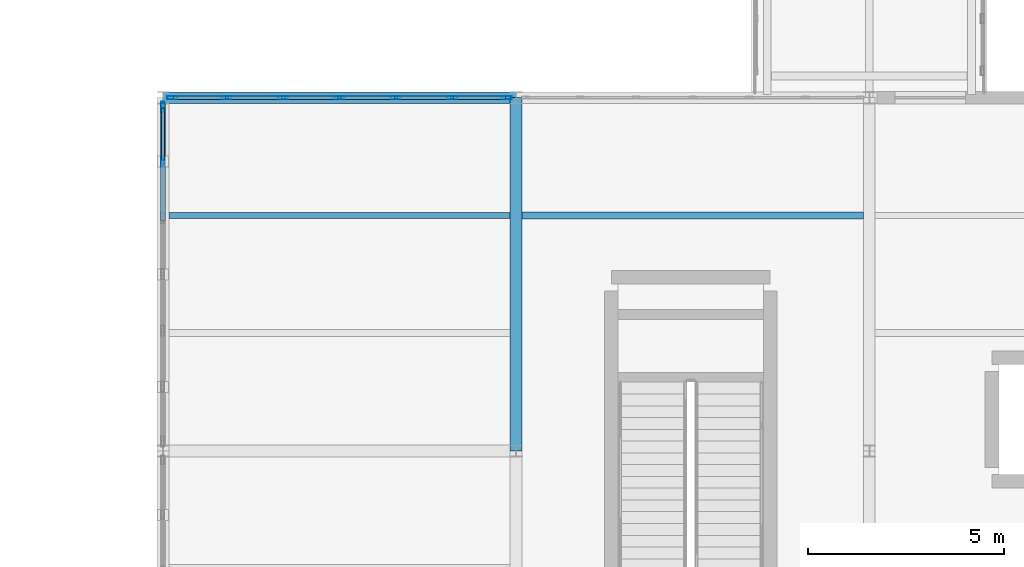
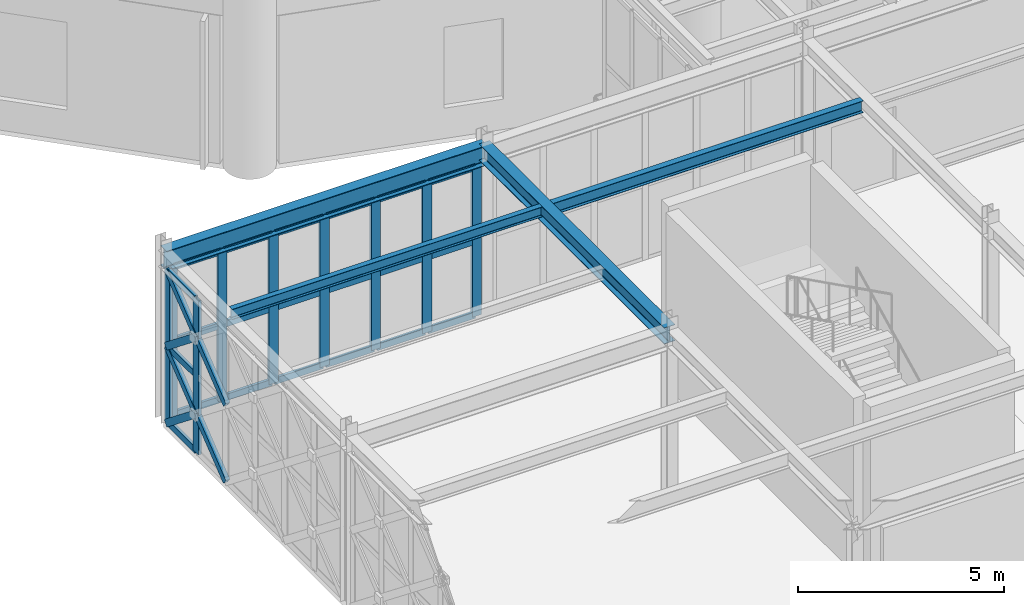
# One storey, part 41 of 155: 34 members, 4 beams, 2 elements without a shape of their own.
"""IFC4 building model written with IfcOpenShell, lengths in metres."""

from ifc_helpers import new_model, si_unit, direction, frame, origin, origin_2d, place, context, subcontext, project, spatial, hollow_rectangle, i_section, extrude, material, material_profile, profile_set, type_object, element, aggregate, save


model = new_model("IFC4")

# Units and contexts
model_context = context("Model", 3, precision=1e-05, world=origin(), true_north=direction((0.0, 1.0)))
body_context = subcontext(model_context, "Body", "Model", "MODEL_VIEW")
ifc_project = project(units=[si_unit("LENGTHUNIT", "METRE"), si_unit("AREAUNIT", "SQUARE_METRE"), si_unit("VOLUMEUNIT", "CUBIC_METRE"), si_unit("PLANEANGLEUNIT", "RADIAN"), si_unit("MASSUNIT", "GRAM", prefix="KILO")], contexts=[model_context])

# Site, building, storey
site_placement = place(None, origin())
site = spatial("IfcSite", under=ifc_project, at=site_placement, CompositionType="ELEMENT")
building_placement = place(site_placement, origin())
building = spatial("IfcBuilding", under=site, at=building_placement, Name="Haizhuo Lancet Aquarium", CompositionType="ELEMENT")
storey_placement = place(building_placement, frame((0.0, 0.0, 10.800048828125)))
storey = spatial("IfcBuildingStorey", under=building, at=storey_placement, Name="L02", CompositionType="ELEMENT", Elevation=10.800048828125)

# Beams
ifc_material_1 = material(Name="Steel S355", Category="steel")
ifc_material_profile_1 = material_profile(ifc_material_1, i_section(OverallWidth=0.300048828125, OverallDepth=0.488037109375, WebThickness=0.010986328125, FlangeThickness=0.01806640625, FilletRadius=0.02392578125, at=origin_2d()), Name="HM 488x300x11x18")
ifc_profile_set_1 = profile_set([ifc_material_profile_1], Name="Steel S355")
beam_type_1 = type_object("IfcBeamType", Name="BM-ST-HM488", PredefinedType="BEAM", material=ifc_profile_set_1)
beam_1_placement = place(storey_placement, frame((-9.0, -36.0, 4.805908203125), z_axis=(0.0, 1.0, 0.0), x_axis=(-1.0, 0.0, 0.0)))
element("IfcBeam", 1, at=beam_1_placement, inside=storey, type_object=beam_type_1, Name="L02 V4 primary girder BM-L02-V4-012", PredefinedType="BEAM", context=body_context, shape_type="SweptSolid", body=[
    extrude(i_section(OverallWidth=0.300048828125, OverallDepth=0.488037109375, WebThickness=0.010986328125, FlangeThickness=0.01806640625, FilletRadius=0.02392578125, at=origin_2d()), origin(), (0.0, 0.0, 1.0), 9.0),
])
ifc_material_profile_2 = material_profile(ifc_material_1, i_section(OverallWidth=0.300048828125, OverallDepth=0.587890625, WebThickness=0.011962890625, FlangeThickness=0.02001953125, FilletRadius=0.02587890625, at=origin_2d()), Name="HM 588x300x12x20")
ifc_profile_set_2 = profile_set([ifc_material_profile_2], Name="Steel S355")
beam_type_2 = type_object("IfcBeamType", Name="BM-ST-HM588", PredefinedType="BEAM", material=ifc_profile_set_2)
beam_2_placement = place(storey_placement, frame((-18.0, -27.0, 4.755859375), z_axis=(1.0, 0.0, 0.0), x_axis=(0.0, 1.0, 0.0)))
element("IfcBeam", 2, at=beam_2_placement, inside=storey, type_object=beam_type_2, Name="L02 V4 primary girder BM-L02-V4-007", PredefinedType="BEAM", context=body_context, shape_type="SweptSolid", body=[
    extrude(i_section(OverallWidth=0.300048828125, OverallDepth=0.587890625, WebThickness=0.011962890625, FlangeThickness=0.02001953125, FilletRadius=0.02587890625, at=origin_2d()), origin(), (0.0, 0.0, 1.0), 9.0),
])

# Curtain wall, members
ifc_material_2 = material(Name="Aluminium 6063-T6", Category="aluminium")
curtain_wall_type_1 = type_object("IfcCurtainWallType", Name="CWO-8610x4460", PredefinedType="NOTDEFINED", material=ifc_material_2)
curtain_wall_1_placement = place(storey_placement, origin())
curtain_wall_1 = element("IfcCurtainWall", 3, at=curtain_wall_1_placement, inside=storey, type_object=curtain_wall_type_1, Name="L02 curtain wall CW-V4-L02-102", PredefinedType="NOTDEFINED")
ifc_material_profile_3 = material_profile(ifc_material_2, hollow_rectangle(XDim=0.080078125, YDim=0.260009765625, WallThickness=0.0048828125, at=origin_2d()), Name="ALU-M 80x260x5")
ifc_profile_set_3 = profile_set([ifc_material_profile_3], Name="Aluminium 6063-T6")
member_type_1 = type_object("IfcMemberType", Name="CW-MUL-3", PredefinedType="MULLION", material=ifc_profile_set_3)
member_1_placement = place(storey_placement, frame((-17.764892578125, -27.0, 0.0), z_axis=(0.0, 0.0, 1.0), x_axis=(0.0, 1.0, 0.0)))
member_1 = element("IfcMember", 4, at=member_1_placement, type_object=member_type_1, Name="CWO-86x44 mullion 1", PredefinedType="MULLION", context=body_context, shape_type="SweptSolid", body=[
    extrude(hollow_rectangle(XDim=0.080078125, YDim=0.260009765625, WallThickness=0.0048828125, at=origin_2d()), origin(), (0.0, 0.0, 1.0), 4.4619140625),
])
member_2_placement = place(storey_placement, frame((-16.3701171875, -27.0, 0.0), z_axis=(0.0, 0.0, 1.0), x_axis=(0.0, 1.0, 0.0)))
member_2 = element("IfcMember", 5, at=member_2_placement, type_object=member_type_1, Name="CWO-86x44 mullion 2", PredefinedType="MULLION", context=body_context, shape_type="SweptSolid", body=[
    extrude(hollow_rectangle(XDim=0.080078125, YDim=0.260009765625, WallThickness=0.0048828125, at=origin_2d()), origin(), (0.0, 0.0, 1.0), 4.4619140625),
])
member_3_placement = place(storey_placement, frame((-14.93505859375, -27.0, 0.0), z_axis=(0.0, 0.0, 1.0), x_axis=(0.0, 1.0, 0.0)))
member_3 = element("IfcMember", 6, at=member_3_placement, type_object=member_type_1, Name="CWO-86x44 mullion 3", PredefinedType="MULLION", context=body_context, shape_type="SweptSolid", body=[
    extrude(hollow_rectangle(XDim=0.080078125, YDim=0.260009765625, WallThickness=0.0048828125, at=origin_2d()), origin(), (0.0, 0.0, 1.0), 4.4619140625),
])
member_4_placement = place(storey_placement, frame((-13.5, -27.0, 0.0), z_axis=(0.0, 0.0, 1.0), x_axis=(0.0, 1.0, 0.0)))
member_4 = element("IfcMember", 7, at=member_4_placement, type_object=member_type_1, Name="CWO-86x44 mullion 4", PredefinedType="MULLION", context=body_context, shape_type="SweptSolid", body=[
    extrude(hollow_rectangle(XDim=0.080078125, YDim=0.260009765625, WallThickness=0.0048828125, at=origin_2d()), origin(), (0.0, 0.0, 1.0), 4.4619140625),
])
member_5_placement = place(storey_placement, frame((-12.06494140625, -27.0, 0.0), z_axis=(0.0, 0.0, 1.0), x_axis=(0.0, 1.0, 0.0)))
member_5 = element("IfcMember", 8, at=member_5_placement, type_object=member_type_1, Name="CWO-86x44 mullion 5", PredefinedType="MULLION", context=body_context, shape_type="SweptSolid", body=[
    extrude(hollow_rectangle(XDim=0.080078125, YDim=0.260009765625, WallThickness=0.0048828125, at=origin_2d()), origin(), (0.0, 0.0, 1.0), 4.4619140625),
])
member_6_placement = place(storey_placement, frame((-10.6298828125, -27.0, 0.0), z_axis=(0.0, 0.0, 1.0), x_axis=(0.0, 1.0, 0.0)))
member_6 = element("IfcMember", 9, at=member_6_placement, type_object=member_type_1, Name="CWO-86x44 mullion 6", PredefinedType="MULLION", context=body_context, shape_type="SweptSolid", body=[
    extrude(hollow_rectangle(XDim=0.080078125, YDim=0.260009765625, WallThickness=0.0048828125, at=origin_2d()), origin(), (0.0, 0.0, 1.0), 4.4619140625),
])
member_7_placement = place(storey_placement, frame((-9.235107421875, -27.0, 0.0), z_axis=(0.0, 0.0, 1.0), x_axis=(0.0, 1.0, 0.0)))
member_7 = element("IfcMember", 10, at=member_7_placement, type_object=member_type_1, Name="CWO-86x44 mullion 7", PredefinedType="MULLION", context=body_context, shape_type="SweptSolid", body=[
    extrude(hollow_rectangle(XDim=0.080078125, YDim=0.260009765625, WallThickness=0.0048828125, at=origin_2d()), origin(), (0.0, 0.0, 1.0), 4.4619140625),
])

curtain_wall_type_2 = type_object("IfcCurtainWallType", Name="CWO-8610x4560", PredefinedType="NOTDEFINED", material=ifc_material_2)
curtain_wall_2_placement = place(storey_placement, origin())
curtain_wall_2 = element("IfcCurtainWall", 11, at=curtain_wall_2_placement, inside=storey, type_object=curtain_wall_type_2, Name="L02 curtain wall CW-V4-L02-114", PredefinedType="NOTDEFINED")
member_8_placement = place(storey_placement, frame((-18.0, -28.6298828125, 0.0), z_axis=(0.0, 0.0, 1.0), x_axis=(-1.0, 0.0, 0.0)))
member_8 = element("IfcMember", 12, at=member_8_placement, type_object=member_type_1, Name="CWO-86x45 mullion 6", PredefinedType="MULLION", context=body_context, shape_type="SweptSolid", body=[
    extrude(hollow_rectangle(XDim=0.080078125, YDim=0.260009765625, WallThickness=0.0048828125, at=origin_2d()), origin(), (0.0, 0.0, 1.0), 4.56201171875),
])
member_9_placement = place(storey_placement, frame((-18.0, -27.235107421875, 0.0), z_axis=(0.0, 0.0, 1.0), x_axis=(-1.0, 0.0, 0.0)))
member_9 = element("IfcMember", 13, at=member_9_placement, type_object=member_type_1, Name="CWO-86x45 mullion 7", PredefinedType="MULLION", context=body_context, shape_type="SweptSolid", body=[
    extrude(hollow_rectangle(XDim=0.080078125, YDim=0.260009765625, WallThickness=0.0048828125, at=origin_2d()), origin(), (0.0, 0.0, 1.0), 4.56201171875),
])

# Member
ifc_material_profile_4 = material_profile(ifc_material_2, hollow_rectangle(XDim=0.080078125, YDim=0.18994140625, WallThickness=0.0048828125, at=origin_2d()), Name="ALU-T 80x190x5")
ifc_profile_set_4 = profile_set([ifc_material_profile_4], Name="Aluminium 6063-T6")
member_type_2 = type_object("IfcMemberType", Name="CW-TRN-3", PredefinedType="NOTDEFINED", material=ifc_profile_set_4)
member_10_placement = place(storey_placement, frame((-17.72509765625, -27.0, 0.0400390625), z_axis=(1.0, 0.0, 0.0), x_axis=(0.0, 1.0, 0.0)))
member_10 = element("IfcMember", 14, at=member_10_placement, type_object=member_type_2, Name="CWO-86x44 transom 1.1", ObjectType="TRANSOM", PredefinedType="USERDEFINED", context=body_context, shape_type="SweptSolid", body=[
    extrude(hollow_rectangle(XDim=0.080078125, YDim=0.18994140625, WallThickness=0.0048828125, at=origin_2d()), origin(), (0.0, 0.0, 1.0), 1.315185546875),
])

member_11_placement = place(storey_placement, frame((-17.72509765625, -27.0, 2.23095703125), z_axis=(1.0, 0.0, 0.0), x_axis=(0.0, 1.0, 0.0)))
member_11 = element("IfcMember", 15, at=member_11_placement, type_object=member_type_2, Name="CWO-86x44 transom 1.2", ObjectType="TRANSOM", PredefinedType="USERDEFINED", context=body_context, shape_type="SweptSolid", body=[
    extrude(hollow_rectangle(XDim=0.080078125, YDim=0.18994140625, WallThickness=0.0048828125, at=origin_2d()), origin(), (0.0, 0.0, 1.0), 1.315185546875),
])

member_12_placement = place(storey_placement, frame((-17.72509765625, -27.0, 4.421875), z_axis=(1.0, 0.0, 0.0), x_axis=(0.0, 1.0, 0.0)))
member_12 = element("IfcMember", 16, at=member_12_placement, type_object=member_type_2, Name="CWO-86x44 transom 1.3", ObjectType="TRANSOM", PredefinedType="USERDEFINED", context=body_context, shape_type="SweptSolid", body=[
    extrude(hollow_rectangle(XDim=0.080078125, YDim=0.18994140625, WallThickness=0.0048828125, at=origin_2d()), origin(), (0.0, 0.0, 1.0), 1.315185546875),
])

member_13_placement = place(storey_placement, frame((-16.330078125, -27.0, 0.0400390625), z_axis=(1.0, 0.0, 0.0), x_axis=(0.0, 1.0, 0.0)))
member_13 = element("IfcMember", 17, at=member_13_placement, type_object=member_type_2, Name="CWO-86x44 transom 2.1", ObjectType="TRANSOM", PredefinedType="USERDEFINED", context=body_context, shape_type="SweptSolid", body=[
    extrude(hollow_rectangle(XDim=0.080078125, YDim=0.18994140625, WallThickness=0.0048828125, at=origin_2d()), origin(), (0.0, 0.0, 1.0), 1.35498046875),
])

member_14_placement = place(storey_placement, frame((-16.330078125, -27.0, 2.23095703125), z_axis=(1.0, 0.0, 0.0), x_axis=(0.0, 1.0, 0.0)))
member_14 = element("IfcMember", 18, at=member_14_placement, type_object=member_type_2, Name="CWO-86x44 transom 2.2", ObjectType="TRANSOM", PredefinedType="USERDEFINED", context=body_context, shape_type="SweptSolid", body=[
    extrude(hollow_rectangle(XDim=0.080078125, YDim=0.18994140625, WallThickness=0.0048828125, at=origin_2d()), origin(), (0.0, 0.0, 1.0), 1.35498046875),
])

member_15_placement = place(storey_placement, frame((-16.330078125, -27.0, 4.421875), z_axis=(1.0, 0.0, 0.0), x_axis=(0.0, 1.0, 0.0)))
member_15 = element("IfcMember", 19, at=member_15_placement, type_object=member_type_2, Name="CWO-86x44 transom 2.3", ObjectType="TRANSOM", PredefinedType="USERDEFINED", context=body_context, shape_type="SweptSolid", body=[
    extrude(hollow_rectangle(XDim=0.080078125, YDim=0.18994140625, WallThickness=0.0048828125, at=origin_2d()), origin(), (0.0, 0.0, 1.0), 1.35498046875),
])

member_16_placement = place(storey_placement, frame((-14.89501953125, -27.0, 0.0400390625), z_axis=(1.0, 0.0, 0.0), x_axis=(0.0, 1.0, 0.0)))
member_16 = element("IfcMember", 20, at=member_16_placement, type_object=member_type_2, Name="CWO-86x44 transom 3.1", ObjectType="TRANSOM", PredefinedType="USERDEFINED", context=body_context, shape_type="SweptSolid", body=[
    extrude(hollow_rectangle(XDim=0.080078125, YDim=0.18994140625, WallThickness=0.0048828125, at=origin_2d()), origin(), (0.0, 0.0, 1.0), 1.35498046875),
])

member_17_placement = place(storey_placement, frame((-14.89501953125, -27.0, 2.23095703125), z_axis=(1.0, 0.0, 0.0), x_axis=(0.0, 1.0, 0.0)))
member_17 = element("IfcMember", 21, at=member_17_placement, type_object=member_type_2, Name="CWO-86x44 transom 3.2", ObjectType="TRANSOM", PredefinedType="USERDEFINED", context=body_context, shape_type="SweptSolid", body=[
    extrude(hollow_rectangle(XDim=0.080078125, YDim=0.18994140625, WallThickness=0.0048828125, at=origin_2d()), origin(), (0.0, 0.0, 1.0), 1.35498046875),
])

member_18_placement = place(storey_placement, frame((-14.89501953125, -27.0, 4.421875), z_axis=(1.0, 0.0, 0.0), x_axis=(0.0, 1.0, 0.0)))
member_18 = element("IfcMember", 22, at=member_18_placement, type_object=member_type_2, Name="CWO-86x44 transom 3.3", ObjectType="TRANSOM", PredefinedType="USERDEFINED", context=body_context, shape_type="SweptSolid", body=[
    extrude(hollow_rectangle(XDim=0.080078125, YDim=0.18994140625, WallThickness=0.0048828125, at=origin_2d()), origin(), (0.0, 0.0, 1.0), 1.35498046875),
])

member_19_placement = place(storey_placement, frame((-13.4599609375, -27.0, 0.0400390625), z_axis=(1.0, 0.0, 0.0), x_axis=(0.0, 1.0, 0.0)))
member_19 = element("IfcMember", 23, at=member_19_placement, type_object=member_type_2, Name="CWO-86x44 transom 4.1", ObjectType="TRANSOM", PredefinedType="USERDEFINED", context=body_context, shape_type="SweptSolid", body=[
    extrude(hollow_rectangle(XDim=0.080078125, YDim=0.18994140625, WallThickness=0.0048828125, at=origin_2d()), origin(), (0.0, 0.0, 1.0), 1.35498046875),
])

member_20_placement = place(storey_placement, frame((-13.4599609375, -27.0, 2.23095703125), z_axis=(1.0, 0.0, 0.0), x_axis=(0.0, 1.0, 0.0)))
member_20 = element("IfcMember", 24, at=member_20_placement, type_object=member_type_2, Name="CWO-86x44 transom 4.2", ObjectType="TRANSOM", PredefinedType="USERDEFINED", context=body_context, shape_type="SweptSolid", body=[
    extrude(hollow_rectangle(XDim=0.080078125, YDim=0.18994140625, WallThickness=0.0048828125, at=origin_2d()), origin(), (0.0, 0.0, 1.0), 1.35498046875),
])

member_21_placement = place(storey_placement, frame((-13.4599609375, -27.0, 4.421875), z_axis=(1.0, 0.0, 0.0), x_axis=(0.0, 1.0, 0.0)))
member_21 = element("IfcMember", 25, at=member_21_placement, type_object=member_type_2, Name="CWO-86x44 transom 4.3", ObjectType="TRANSOM", PredefinedType="USERDEFINED", context=body_context, shape_type="SweptSolid", body=[
    extrude(hollow_rectangle(XDim=0.080078125, YDim=0.18994140625, WallThickness=0.0048828125, at=origin_2d()), origin(), (0.0, 0.0, 1.0), 1.35498046875),
])

member_22_placement = place(storey_placement, frame((-12.02490234375, -27.0, 0.0400390625), z_axis=(1.0, 0.0, 0.0), x_axis=(0.0, 1.0, 0.0)))
member_22 = element("IfcMember", 26, at=member_22_placement, type_object=member_type_2, Name="CWO-86x44 transom 5.1", ObjectType="TRANSOM", PredefinedType="USERDEFINED", context=body_context, shape_type="SweptSolid", body=[
    extrude(hollow_rectangle(XDim=0.080078125, YDim=0.18994140625, WallThickness=0.0048828125, at=origin_2d()), origin(), (0.0, 0.0, 1.0), 1.35498046875),
])

member_23_placement = place(storey_placement, frame((-12.02490234375, -27.0, 2.23095703125), z_axis=(1.0, 0.0, 0.0), x_axis=(0.0, 1.0, 0.0)))
member_23 = element("IfcMember", 27, at=member_23_placement, type_object=member_type_2, Name="CWO-86x44 transom 5.2", ObjectType="TRANSOM", PredefinedType="USERDEFINED", context=body_context, shape_type="SweptSolid", body=[
    extrude(hollow_rectangle(XDim=0.080078125, YDim=0.18994140625, WallThickness=0.0048828125, at=origin_2d()), origin(), (0.0, 0.0, 1.0), 1.35498046875),
])

member_24_placement = place(storey_placement, frame((-12.02490234375, -27.0, 4.421875), z_axis=(1.0, 0.0, 0.0), x_axis=(0.0, 1.0, 0.0)))
member_24 = element("IfcMember", 28, at=member_24_placement, type_object=member_type_2, Name="CWO-86x44 transom 5.3", ObjectType="TRANSOM", PredefinedType="USERDEFINED", context=body_context, shape_type="SweptSolid", body=[
    extrude(hollow_rectangle(XDim=0.080078125, YDim=0.18994140625, WallThickness=0.0048828125, at=origin_2d()), origin(), (0.0, 0.0, 1.0), 1.35498046875),
])

member_25_placement = place(storey_placement, frame((-10.590087890625, -27.0, 0.0400390625), z_axis=(1.0, 0.0, 0.0), x_axis=(0.0, 1.0, 0.0)))
member_25 = element("IfcMember", 29, at=member_25_placement, type_object=member_type_2, Name="CWO-86x44 transom 6.1", ObjectType="TRANSOM", PredefinedType="USERDEFINED", context=body_context, shape_type="SweptSolid", body=[
    extrude(hollow_rectangle(XDim=0.080078125, YDim=0.18994140625, WallThickness=0.0048828125, at=origin_2d()), origin(), (0.0, 0.0, 1.0), 1.315185546875),
])

member_26_placement = place(storey_placement, frame((-10.590087890625, -27.0, 2.23095703125), z_axis=(1.0, 0.0, 0.0), x_axis=(0.0, 1.0, 0.0)))
member_26 = element("IfcMember", 30, at=member_26_placement, type_object=member_type_2, Name="CWO-86x44 transom 6.2", ObjectType="TRANSOM", PredefinedType="USERDEFINED", context=body_context, shape_type="SweptSolid", body=[
    extrude(hollow_rectangle(XDim=0.080078125, YDim=0.18994140625, WallThickness=0.0048828125, at=origin_2d()), origin(), (0.0, 0.0, 1.0), 1.315185546875),
])

member_27_placement = place(storey_placement, frame((-10.590087890625, -27.0, 4.421875), z_axis=(1.0, 0.0, 0.0), x_axis=(0.0, 1.0, 0.0)))
member_27 = element("IfcMember", 31, at=member_27_placement, type_object=member_type_2, Name="CWO-86x44 transom 6.3", ObjectType="TRANSOM", PredefinedType="USERDEFINED", context=body_context, shape_type="SweptSolid", body=[
    extrude(hollow_rectangle(XDim=0.080078125, YDim=0.18994140625, WallThickness=0.0048828125, at=origin_2d()), origin(), (0.0, 0.0, 1.0), 1.315185546875),
])

aggregate(curtain_wall_1, [member_1, member_2, member_3, member_4, member_5, member_6, member_7, member_10, member_11, member_12, member_13, member_14, member_15, member_16, member_17, member_18, member_19, member_20, member_21, member_22, member_23, member_24, member_25, member_26, member_27])

member_28_placement = place(storey_placement, frame((-18.0, -28.590087890625, 0.0400390625), z_axis=(0.0, 1.0, 0.0), x_axis=(-1.0, 0.0, 0.0)))
member_28 = element("IfcMember", 32, at=member_28_placement, type_object=member_type_2, Name="CWO-86x45 transom 6.1", ObjectType="TRANSOM", PredefinedType="USERDEFINED", context=body_context, shape_type="SweptSolid", body=[
    extrude(hollow_rectangle(XDim=0.080078125, YDim=0.18994140625, WallThickness=0.0048828125, at=origin_2d()), origin(), (0.0, 0.0, 1.0), 1.315185546875),
])

member_29_placement = place(storey_placement, frame((-18.0, -28.590087890625, 2.281005859375), z_axis=(0.0, 1.0, 0.0), x_axis=(-1.0, 0.0, 0.0)))
member_29 = element("IfcMember", 33, at=member_29_placement, type_object=member_type_2, Name="CWO-86x45 transom 6.2", ObjectType="TRANSOM", PredefinedType="USERDEFINED", context=body_context, shape_type="SweptSolid", body=[
    extrude(hollow_rectangle(XDim=0.080078125, YDim=0.18994140625, WallThickness=0.0048828125, at=origin_2d()), origin(), (0.0, 0.0, 1.0), 1.315185546875),
])

member_30_placement = place(storey_placement, frame((-18.0, -28.590087890625, 4.52197265625), z_axis=(0.0, 1.0, 0.0), x_axis=(-1.0, 0.0, 0.0)))
member_30 = element("IfcMember", 34, at=member_30_placement, type_object=member_type_2, Name="CWO-86x45 transom 6.3", ObjectType="TRANSOM", PredefinedType="USERDEFINED", context=body_context, shape_type="SweptSolid", body=[
    extrude(hollow_rectangle(XDim=0.080078125, YDim=0.18994140625, WallThickness=0.0048828125, at=origin_2d()), origin(), (0.0, 0.0, 1.0), 1.315185546875),
])

aggregate(curtain_wall_2, [member_8, member_9, member_28, member_29, member_30])

# Beams
ifc_material_profile_5 = material_profile(ifc_material_1, i_section(OverallWidth=0.14990234375, OverallDepth=0.300048828125, WebThickness=0.006591796875, FlangeThickness=0.009033203125, FilletRadius=0.012939453125, at=origin_2d()), Name="HN 300x150x6.5x9")
ifc_profile_set_5 = profile_set([ifc_material_profile_5], Name="Steel S355")
beam_type_3 = type_object("IfcBeamType", Name="JST-ST-HN300", PredefinedType="JOIST", material=ifc_profile_set_5)
beam_3_placement = place(storey_placement, frame((-17.85009765625, -30.0, 4.89990234375), z_axis=(1.0, 0.0, 0.0), x_axis=(0.0, 1.0, 0.0)))
element("IfcBeam", 35, at=beam_3_placement, inside=storey, type_object=beam_type_3, Name="L02 V4 secondary floor joist 6", PredefinedType="JOIST", context=body_context, shape_type="SweptSolid", body=[
    extrude(i_section(OverallWidth=0.14990234375, OverallDepth=0.300048828125, WebThickness=0.006591796875, FlangeThickness=0.009033203125, FilletRadius=0.012939453125, at=origin_2d()), origin(), (0.0, 0.0, 1.0), 8.7001953125),
])
ifc_material_profile_6 = material_profile(ifc_material_1, i_section(OverallWidth=0.175048828125, OverallDepth=0.35009765625, WebThickness=0.007080078125, FlangeThickness=0.010986328125, FilletRadius=0.013916015625, at=origin_2d()), Name="HN 350x175x7x11")
ifc_profile_set_6 = profile_set([ifc_material_profile_6], Name="Steel S355")
beam_type_4 = type_object("IfcBeamType", Name="JST-ST-HN350", PredefinedType="JOIST", material=ifc_profile_set_6)
beam_4_placement = place(storey_placement, frame((-8.85009765625, -30.0, 4.875), z_axis=(1.0, 0.0, 0.0), x_axis=(0.0, 1.0, 0.0)))
element("IfcBeam", 36, at=beam_4_placement, inside=storey, type_object=beam_type_4, Name="L02 V4 secondary floor joist 10", PredefinedType="JOIST", context=body_context, shape_type="SweptSolid", body=[
    extrude(i_section(OverallWidth=0.175048828125, OverallDepth=0.35009765625, WebThickness=0.007080078125, FlangeThickness=0.010986328125, FilletRadius=0.013916015625, at=origin_2d()), origin(), (0.0, 0.0, 1.0), 8.7001953125),
])

# Members
ifc_material_profile_7 = material_profile(ifc_material_1, hollow_rectangle(XDim=0.1201171875, YDim=0.199951171875, WallThickness=0.008056640625, at=origin_2d()), Name="RHS 120x200x8")
ifc_profile_set_7 = profile_set([ifc_material_profile_7], Name="Steel S355")
member_type_3 = type_object("IfcMemberType", Name="MEM-LB-RHS120x200", PredefinedType="BRACE", material=ifc_profile_set_7)
member_31_placement = place(storey_placement, frame((-18.0, -30.06494140625, 0.0), z_axis=(0.0, 0.78284654434, 0.622214824651), x_axis=(-1.0, 0.0, 0.0)))
element("IfcMember", 37, at=member_31_placement, inside=storey, type_object=member_type_3, Name="Gothic lancet continuous diagonal brace CW-V4-L02-114 5A", PredefinedType="BRACE", context=body_context, shape_type="SweptSolid", body=[
    extrude(hollow_rectangle(XDim=0.1201171875, YDim=0.199951171875, WallThickness=0.008056640625, at=origin_2d()), origin(), (0.0, 0.0, 1.0), 3.666015625),
])
member_32_placement = place(storey_placement, frame((-18.0, -27.195068359375, 0.0), z_axis=(0.0, -0.782723437039, 0.622369682029), x_axis=(1.0, 0.0, 0.0)))
element("IfcMember", 38, at=member_32_placement, inside=storey, type_object=member_type_3, Name="Gothic lancet split diagonal brace CW-V4-L02-114 5B1", PredefinedType="BRACE", context=body_context, shape_type="SweptSolid", body=[
    extrude(hollow_rectangle(XDim=0.1201171875, YDim=0.199951171875, WallThickness=0.008056640625, at=origin_2d()), origin(), (0.0, 0.0, 1.0), 1.8330078125),
])
member_33_placement = place(storey_placement, frame((-18.0, -30.06494140625, 2.281005859375), z_axis=(0.0, 0.78284654434, 0.622214824651), x_axis=(-1.0, 0.0, 0.0)))
element("IfcMember", 39, at=member_33_placement, inside=storey, type_object=member_type_3, Name="Gothic lancet continuous diagonal brace CW-V4-L02-114 6A", PredefinedType="BRACE", context=body_context, shape_type="SweptSolid", body=[
    extrude(hollow_rectangle(XDim=0.1201171875, YDim=0.199951171875, WallThickness=0.008056640625, at=origin_2d()), origin(), (0.0, 0.0, 1.0), 3.666015625),
])
member_34_placement = place(storey_placement, frame((-18.0, -27.195068359375, 2.281005859375), z_axis=(0.0, -0.782982974145, 0.622043135321), x_axis=(1.0, 0.0, 0.0)))
element("IfcMember", 40, at=member_34_placement, inside=storey, type_object=member_type_3, Name="Gothic lancet split diagonal brace CW-V4-L02-114 6B1", PredefinedType="BRACE", context=body_context, shape_type="SweptSolid", body=[
    extrude(hollow_rectangle(XDim=0.1201171875, YDim=0.199951171875, WallThickness=0.008056640625, at=origin_2d()), origin(), (0.0, 0.0, 1.0), 1.83251953125),
])

save(model, "model.ifc")
